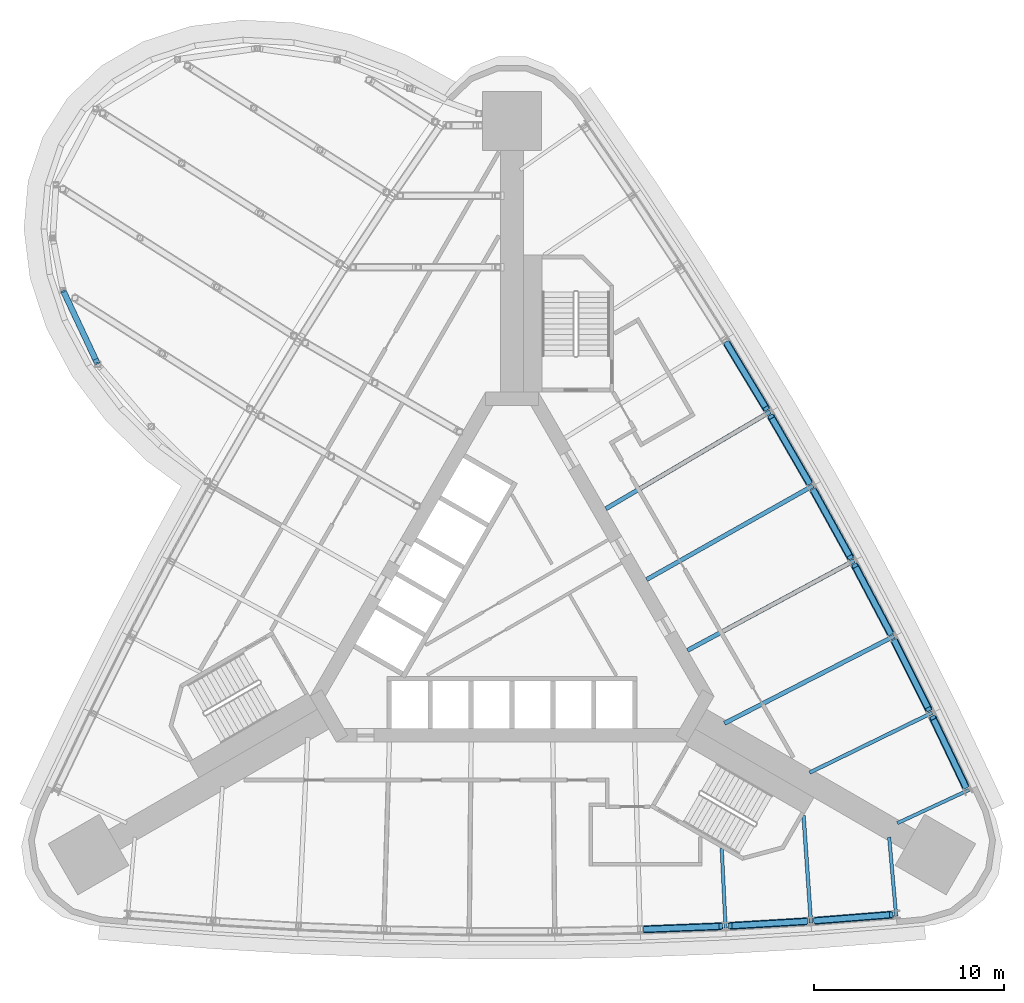
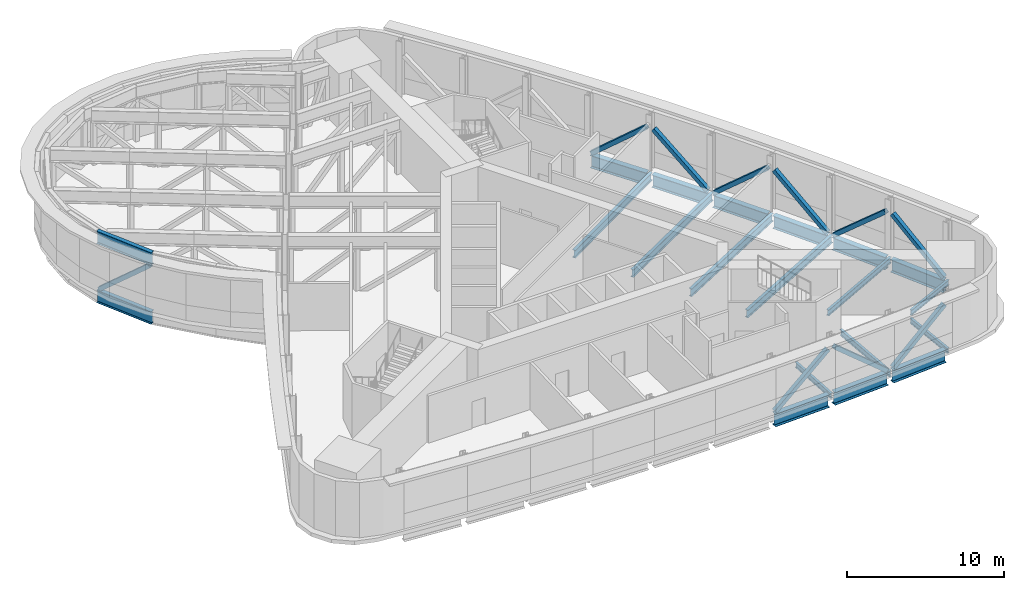
# One storey, part 3 of 11: 18 beams, 12 members.
"""IFC4 building model written with IfcOpenShell, lengths in metres."""

from ifc_helpers import new_model, si_unit, direction, frame, origin, origin_2d, place, context, subcontext, project, spatial, hollow_rectangle, i_section, extrude, material, material_profile, profile_set, type_object, element, save


model = new_model("IFC4")

# Units and contexts
model_context = context("Model", 3, precision=1e-05, world=origin(), true_north=direction((0.0, 1.0)))
body_context = subcontext(model_context, "Body", "Model", "MODEL_VIEW")
ifc_project = project(units=[si_unit("LENGTHUNIT", "METRE"), si_unit("AREAUNIT", "SQUARE_METRE"), si_unit("VOLUMEUNIT", "CUBIC_METRE"), si_unit("PLANEANGLEUNIT", "RADIAN"), si_unit("MASSUNIT", "GRAM", prefix="KILO")], contexts=[model_context])

# Site, building, storey
site_placement = place(None, origin())
site = spatial("IfcSite", under=ifc_project, at=site_placement, CompositionType="ELEMENT")
building_placement = place(site_placement, origin())
building = spatial("IfcBuilding", under=site, at=building_placement, Name="Noor Cloister Tower", CompositionType="ELEMENT")
storey_placement = place(building_placement, frame((0.0, 0.0, 87.0)))
storey = spatial("IfcBuildingStorey", under=building, at=storey_placement, Name="L22", CompositionType="ELEMENT", Elevation=87.0)

# Beams
ifc_material_1 = material(Name="Steel ASTM A992 Gr 50", Category="steel")
ifc_material_profile_1 = material_profile(ifc_material_1, i_section(OverallWidth=0.40087890625, OverallDepth=0.98291015625, WebThickness=0.0166015625, FlangeThickness=0.027099609375, FilletRadius=0.030029296875, at=origin_2d()), Name="W1000x296")
ifc_profile_set_1 = profile_set([ifc_material_profile_1], Name="Steel ASTM A992 Gr 50")
beam_type_1 = type_object("IfcBeamType", Name="Belt chord girder W1000x296", PredefinedType="BEAM", material=ifc_profile_set_1)
beam_1_placement = place(storey_placement, frame((6.9345703125, -16.77001953125, -0.79150390625), z_axis=(0.999226527023, 0.039323627678, 0.0), x_axis=(-0.039323627678, 0.999226527023, 0.0)))
element("IfcBeam", 1, at=beam_1_placement, inside=storey, type_object=beam_type_1, Name="Spandrel beam S 07 L22", PredefinedType="BEAM", context=body_context, shape_type="SweptSolid", body=[
    extrude(i_section(OverallWidth=0.40087890625, OverallDepth=0.98291015625, WebThickness=0.0166015625, FlangeThickness=0.027099609375, FilletRadius=0.030029296875, at=origin_2d()), origin(), (0.0, 0.0, 1.0), 4.085205078125),
])
for number, where, z_axis, x_axis, name in (
    (2, (11.420166015625, -16.589599609375, -0.79150390625), (0.998255153979, 0.059047841234, 0.0), (-0.059047841234, 0.998255153979, 0.0), "Spandrel beam S 08 L22"),
    (3, (15.901123046875, -16.320556640625, -0.79150390625), (0.996902096171, 0.07865246754, 0.0), (-0.07865246754, 0.996902096171, 0.0), "Spandrel beam S 09 L22"),
):
    element("IfcBeam", number, at=place(storey_placement, frame(where, z_axis=z_axis, x_axis=x_axis)), inside=storey, type_object=beam_type_1, Name=name, PredefinedType="BEAM", context=body_context, shape_type="SweptSolid", body=[
        extrude(i_section(OverallWidth=0.40087890625, OverallDepth=0.98291015625, WebThickness=0.0166015625, FlangeThickness=0.027099609375, FilletRadius=0.030029296875, at=origin_2d()), origin(), (0.0, 0.0, 1.0), 4.0849609375),
    ])
for number, where, z_axis, x_axis, name in (
    (4, (23.842529296875, -9.2978515625, -0.79150390625), (-0.430353421503, 0.902660474708, 0.0), (-0.902660474708, -0.430353421503, 0.0), "Spandrel beam NE 01 L22"),
    (5, (21.9072265625, -5.24755859375, -0.79150390625), (-0.448026156732, 0.894020448807, 0.0), (-0.894020448807, -0.448026156732, 0.0), "Spandrel beam NE 02 L22"),
):
    element("IfcBeam", number, at=place(storey_placement, frame(where, z_axis=z_axis, x_axis=x_axis)), inside=storey, type_object=beam_type_1, Name=name, PredefinedType="BEAM", context=body_context, shape_type="SweptSolid", body=[
        extrude(i_section(OverallWidth=0.40087890625, OverallDepth=0.98291015625, WebThickness=0.0166015625, FlangeThickness=0.027099609375, FilletRadius=0.030029296875, at=origin_2d()), origin(), (0.0, 0.0, 1.0), 4.085205078125),
    ])
beam_2_placement = place(storey_placement, frame((19.892333984375, -1.23583984375, -0.79150390625), z_axis=(-0.465527185489, 0.885033581041, 0.0), x_axis=(-0.885033581041, -0.465527185489, 0.0)))
element("IfcBeam", 6, at=beam_2_placement, inside=storey, type_object=beam_type_1, Name="Spandrel beam NE 03 L22", PredefinedType="BEAM", context=body_context, shape_type="SweptSolid", body=[
    extrude(i_section(OverallWidth=0.40087890625, OverallDepth=0.98291015625, WebThickness=0.0166015625, FlangeThickness=0.027099609375, FilletRadius=0.030029296875, at=origin_2d()), origin(), (0.0, 0.0, 1.0), 4.0849609375),
])
for number, where, z_axis, x_axis, name in (
    (7, (17.799072265625, 2.735107421875, -0.79150390625), (-0.482829280505, 0.875714500215, 0.0), (-0.875714500215, -0.482829280505, 0.0), "Spandrel beam NE 04 L22"),
    (8, (15.6279296875, 6.664306640625, -0.79150390625), (-0.499982843957, 0.866035308604, 0.0), (-0.866035308604, -0.499982843957, 0.0), "Spandrel beam NE 05 L22"),
):
    element("IfcBeam", number, at=place(storey_placement, frame(where, z_axis=z_axis, x_axis=x_axis)), inside=storey, type_object=beam_type_1, Name=name, PredefinedType="BEAM", context=body_context, shape_type="SweptSolid", body=[
        extrude(i_section(OverallWidth=0.40087890625, OverallDepth=0.98291015625, WebThickness=0.0166015625, FlangeThickness=0.027099609375, FilletRadius=0.030029296875, at=origin_2d()), origin(), (0.0, 0.0, 1.0), 4.085205078125),
    ])
beam_3_placement = place(storey_placement, frame((13.380126953125, 10.550048828125, -0.79150390625), z_axis=(-0.516963303411, 0.856007560087, 0.0), x_axis=(-0.856007560087, -0.516963303411, 0.0)))
element("IfcBeam", 9, at=beam_3_placement, inside=storey, type_object=beam_type_1, Name="Spandrel beam NE 06 L22", PredefinedType="BEAM", context=body_context, shape_type="SweptSolid", body=[
    extrude(i_section(OverallWidth=0.40087890625, OverallDepth=0.98291015625, WebThickness=0.0166015625, FlangeThickness=0.027099609375, FilletRadius=0.030029296875, at=origin_2d()), origin(), (0.0, 0.0, 1.0), 4.0849609375),
])

# Members
ifc_material_2 = material(Name="Steel ASTM A500 Gr C", Category="steel")
ifc_material_profile_2 = material_profile(ifc_material_2, hollow_rectangle(XDim=0.304931640625, YDim=0.304931640625, WallThickness=0.0126953125, at=origin_2d()), Name="HSS304.8x304.8x12.7")
ifc_profile_set_2 = profile_set([ifc_material_profile_2], Name="Steel ASTM A500 Gr C")
member_type_1 = type_object("IfcMemberType", Name="Belt truss diagonal HSS304.8x304.8x12.7", PredefinedType="BRACE", material=ifc_profile_set_2)
member_1_placement = place(storey_placement, frame((6.97998046875, -16.768310546875, -0.18359375), z_axis=(0.762372899132, 0.030032306523, 0.64644073451), x_axis=(-0.039362667817, 0.999224989871, 0.0)))
element("IfcMember", 10, at=member_1_placement, inside=storey, type_object=member_type_1, Name="Belt truss diagonal S 07 L22", PredefinedType="BRACE", context=body_context, shape_type="SweptSolid", body=[
    extrude(hollow_rectangle(XDim=0.304931640625, YDim=0.304931640625, WallThickness=0.0126953125, at=origin_2d()), origin(), (0.0, 0.0, 1.0), 5.2353515625),
])
for number, where, z_axis, x_axis, name in (
    (11, (15.45263671875, -16.35107421875, -0.18359375), (-0.761610864871, -0.045050278334, 0.646466830497), (0.059048096513, -0.998255138879, 0.0), "Belt truss diagonal S 08 L22"),
    (12, (15.946533203125, -16.317138671875, -0.18359375), (0.760580629623, 0.060020066854, 0.646463222014), (-0.07866891456, 0.996900798416, 0.0), "Belt truss diagonal S 09 L22"),
    (13, (23.822998046875, -9.2568359375, -0.18359375), (-0.328319880127, 0.688678930375, 0.646473036693), (-0.902668346307, -0.430336910544, 0.0), "Belt truss diagonal NE 01 L22"),
    (14, (20.097412109375, -1.635986328125, -0.18359375), (0.341794726021, -0.682097102303, 0.646467252299), (0.894035639422, 0.44799584311, 0.0), "Belt truss diagonal NE 02 L22"),
    (15, (19.871337890625, -1.195556640625, -0.18359375), (-0.355175074127, 0.675233705133, 0.646459674049), (-0.885032225576, -0.465529762413, 0.0), "Belt truss diagonal NE 03 L22"),
    (16, (15.8486328125, 6.272705078125, -0.18359375), (0.368367987221, -0.668136239133, 0.646451074675), (0.875721177737, 0.482817169187, 0.0), "Belt truss diagonal NE 04 L22"),
    (17, (15.605224609375, 6.70361328125, -0.18359375), (-0.381477543181, 0.660730297284, 0.646459865962), (-0.866022720283, -0.500004647933, 0.0), "Belt truss diagonal NE 05 L22"),
    (18, (11.291748046875, 14.008056640625, -0.18359375), (0.394388578929, -0.653117186697, 0.646448442841), (0.856033315914, 0.51692065353, 0.0), "Belt truss diagonal NE 06 L22"),
):
    element("IfcMember", number, at=place(storey_placement, frame(where, z_axis=z_axis, x_axis=x_axis)), inside=storey, type_object=member_type_1, Name=name, PredefinedType="BRACE", context=body_context, shape_type="SweptSolid", body=[
        extrude(hollow_rectangle(XDim=0.304931640625, YDim=0.304931640625, WallThickness=0.0126953125, at=origin_2d()), origin(), (0.0, 0.0, 1.0), 5.235107421875),
    ])
ifc_material_3 = material(Name="Steel ASTM A992 Gr 50", Category="steel")
ifc_material_profile_3 = material_profile(ifc_material_3, i_section(OverallWidth=0.300048828125, OverallDepth=0.97998046875, WebThickness=0.0166015625, FlangeThickness=0.026123046875, FilletRadius=0.02978515625, at=origin_2d()), Name="W1000x249")
ifc_profile_set_3 = profile_set([ifc_material_profile_3], Name="Steel ASTM A992 Gr 50")
member_type_2 = type_object("IfcMemberType", Name="Pod ring chord W1000x249", PredefinedType="CHORD", material=ifc_profile_set_3)
for number, where, z_axis, x_axis, name in (
    (19, (-23.57666015625, 16.77880859375, -0.7900390625), (0.425445797726, -0.904983907701, 0.0), (0.904983907701, 0.425445797726, 0.0), "Pod truss 2 bottom chord ring 9"),
    (20, (-23.57666015625, 16.77880859375, 3.81005859375), (0.425445797726, -0.904983907701, 0.0), (0.904983907701, 0.425445797726, 0.0), "Pod truss 2 top chord ring 9"),
):
    element("IfcMember", number, at=place(storey_placement, frame(where, z_axis=z_axis, x_axis=x_axis)), inside=storey, type_object=member_type_2, Name=name, PredefinedType="CHORD", context=body_context, shape_type="SweptSolid", body=[
        extrude(i_section(OverallWidth=0.300048828125, OverallDepth=0.97998046875, WebThickness=0.0166015625, FlangeThickness=0.026123046875, FilletRadius=0.02978515625, at=origin_2d()), origin(), (0.0, 0.0, 1.0), 4.251708984375),
    ])
ifc_material_4 = material(Name="Steel ASTM A500 Gr C", Category="steel")
ifc_material_profile_4 = material_profile(ifc_material_4, hollow_rectangle(XDim=0.304931640625, YDim=0.304931640625, WallThickness=0.0126953125, at=origin_2d()), Name="HSS304.8x304.8x12.7")
ifc_profile_set_4 = profile_set([ifc_material_profile_4], Name="Steel ASTM A500 Gr C")
member_type_3 = type_object("IfcMemberType", Name="Pod truss diagonal HSS304.8x304.8x12.7", PredefinedType="BRACE", material=ifc_profile_set_4)
member_2_placement = place(storey_placement, frame((-23.500732421875, 16.616943359375, -0.18505859375), z_axis=(0.320945737559, -0.682689261466, 0.656451982876), x_axis=(0.904981961807, 0.425449936895, 0.0)))
element("IfcMember", 21, at=member_2_placement, inside=storey, type_object=member_type_3, Name="Pod truss 2 diagonal ring 9", PredefinedType="BRACE", context=body_context, shape_type="SweptSolid", body=[
    extrude(hollow_rectangle(XDim=0.304931640625, YDim=0.304931640625, WallThickness=0.0126953125, at=origin_2d()), origin(), (0.0, 0.0, 1.0), 5.164306640625),
])

# Beams
ifc_material_5 = material(Name="Steel ASTM A992 Gr 50", Category="steel")
ifc_material_profile_5 = material_profile(ifc_material_5, i_section(OverallWidth=0.177978515625, OverallDepth=0.406005859375, WebThickness=0.0078125, FlangeThickness=0.0126953125, FilletRadius=0.01025390625, at=origin_2d()), Name="W410x60")
ifc_profile_set_5 = profile_set([ifc_material_profile_5], Name="Steel ASTM A992 Gr 50")
beam_type_2 = type_object("IfcBeamType", Name="Radial beam W410x60", PredefinedType="BEAM", material=ifc_profile_set_5)
beam_4_placement = place(storey_placement, frame((11.22314453125, -16.6982421875, -0.5029296875), z_axis=(-0.049162973708, 0.998790769889, 0.0), x_axis=(-0.998790769889, -0.049162973708, 0.0)))
element("IfcBeam", 22, at=beam_4_placement, inside=storey, type_object=beam_type_2, Name="Radial beam S 08 L22", PredefinedType="BEAM", context=body_context, shape_type="SweptSolid", body=[
    extrude(i_section(OverallWidth=0.177978515625, OverallDepth=0.406005859375, WebThickness=0.0078125, FlangeThickness=0.0126953125, FilletRadius=0.01025390625, at=origin_2d()), origin(), (0.0, 0.0, 1.0), 4.181396484375),
])
beam_5_placement = place(storey_placement, frame((20.183349609375, -16.080078125, -0.5029296875), z_axis=(-0.088442871881, 0.996081250909, 0.0), x_axis=(-0.996081250909, -0.088442871881, 0.0)))
element("IfcBeam", 23, at=beam_5_placement, inside=storey, type_object=beam_type_2, Name="Radial beam S 10 L22", PredefinedType="BEAM", context=body_context, shape_type="SweptSolid", body=[
    extrude(i_section(OverallWidth=0.177978515625, OverallDepth=0.406005859375, WebThickness=0.0078125, FlangeThickness=0.0126953125, FilletRadius=0.01025390625, at=origin_2d()), origin(), (0.0, 0.0, 1.0), 4.16552734375),
])
beam_6_placement = place(storey_placement, frame((24.017333984375, -9.439453125, -0.5029296875), z_axis=(-0.906861795377, -0.421428148188, 0.0), x_axis=(0.421428148188, -0.906861795377, 0.0)))
element("IfcBeam", 24, at=beam_6_placement, inside=storey, type_object=beam_type_2, Name="Radial beam NE 01 L22", PredefinedType="BEAM", context=body_context, shape_type="SweptSolid", body=[
    extrude(i_section(OverallWidth=0.177978515625, OverallDepth=0.406005859375, WebThickness=0.0078125, FlangeThickness=0.0126953125, FilletRadius=0.01025390625, at=origin_2d()), origin(), (0.0, 0.0, 1.0), 4.165283203125),
])
ifc_material_6 = material(Name="Steel ASTM A992 Gr 50", Category="steel")
ifc_material_profile_6 = material_profile(ifc_material_6, i_section(OverallWidth=0.19091796875, OverallDepth=0.45703125, WebThickness=0.009033203125, FlangeThickness=0.014404296875, FilletRadius=0.01025390625, at=origin_2d()), Name="W460x74")
ifc_profile_set_6 = profile_set([ifc_material_profile_6], Name="Steel ASTM A992 Gr 50")
beam_type_3 = type_object("IfcBeamType", Name="Radial beam W460x74", PredefinedType="BEAM", material=ifc_profile_set_6)
beam_7_placement = place(storey_placement, frame((15.706298828125, -16.433349609375, -0.528564453125), z_axis=(-0.068805050709, 0.997630124343, 0.0), x_axis=(-0.997630124343, -0.068805050709, 0.0)))
element("IfcBeam", 25, at=beam_7_placement, inside=storey, type_object=beam_type_3, Name="Radial beam S 09 L22", PredefinedType="BEAM", context=body_context, shape_type="SweptSolid", body=[
    extrude(i_section(OverallWidth=0.19091796875, OverallDepth=0.45703125, WebThickness=0.009033203125, FlangeThickness=0.014404296875, FilletRadius=0.01025390625, at=origin_2d()), origin(), (0.0, 0.0, 1.0), 5.6630859375),
])
beam_8_placement = place(storey_placement, frame((22.084716796875, -5.385498046875, -0.528564453125), z_axis=(-0.898392116565, -0.43919426783, 0.0), x_axis=(0.43919426783, -0.898392116565, 0.0)))
element("IfcBeam", 26, at=beam_8_placement, inside=storey, type_object=beam_type_3, Name="Radial beam NE 02 L22", PredefinedType="BEAM", context=body_context, shape_type="SweptSolid", body=[
    extrude(i_section(OverallWidth=0.19091796875, OverallDepth=0.45703125, WebThickness=0.009033203125, FlangeThickness=0.014404296875, FilletRadius=0.01025390625, at=origin_2d()), origin(), (0.0, 0.0, 1.0), 7.176513671875),
])
ifc_material_7 = material(Name="Steel ASTM A992 Gr 50", Category="steel")
ifc_material_profile_7 = material_profile(ifc_material_7, i_section(OverallWidth=0.22802734375, OverallDepth=0.60205078125, WebThickness=0.010498046875, FlangeThickness=0.014892578125, FilletRadius=0.0126953125, at=origin_2d()), Name="W610x101")
ifc_profile_set_7 = profile_set([ifc_material_profile_7], Name="Steel ASTM A992 Gr 50")
beam_type_4 = type_object("IfcBeamType", Name="Radial beam W610x101", PredefinedType="BEAM", material=ifc_profile_set_7)
beam_9_placement = place(storey_placement, frame((20.07275390625, -1.370361328125, -0.60107421875), z_axis=(-0.889568088015, -0.456802601552, 0.0), x_axis=(0.456802601552, -0.889568088015, 0.0)))
element("IfcBeam", 27, at=beam_9_placement, inside=storey, type_object=beam_type_4, Name="Radial beam NE 03 L22", PredefinedType="BEAM", context=body_context, shape_type="SweptSolid", body=[
    extrude(i_section(OverallWidth=0.22802734375, OverallDepth=0.60205078125, WebThickness=0.010498046875, FlangeThickness=0.014892578125, FilletRadius=0.0126953125, at=origin_2d()), origin(), (0.0, 0.0, 1.0), 10.024658203125),
])
beam_10_placement = place(storey_placement, frame((17.98193359375, 2.604248046875, -0.60107421875), z_axis=(-0.880406492765, -0.474219788175, 0.0), x_axis=(0.474219788175, -0.880406492765, 0.0)))
element("IfcBeam", 28, at=beam_10_placement, inside=storey, type_object=beam_type_4, Name="Radial beam NE 04 L22", PredefinedType="BEAM", context=body_context, shape_type="SweptSolid", body=[
    extrude(i_section(OverallWidth=0.22802734375, OverallDepth=0.60205078125, WebThickness=0.010498046875, FlangeThickness=0.014892578125, FilletRadius=0.0126953125, at=origin_2d()), origin(), (0.0, 0.0, 1.0), 9.951171875),
])
beam_11_placement = place(storey_placement, frame((15.8134765625, 6.537109375, -0.60107421875), z_axis=(-0.87089837579, -0.491463141085, 0.0), x_axis=(0.491463141085, -0.87089837579, 0.0)))
element("IfcBeam", 29, at=beam_11_placement, inside=storey, type_object=beam_type_4, Name="Radial beam NE 05 L22", PredefinedType="BEAM", context=body_context, shape_type="SweptSolid", body=[
    extrude(i_section(OverallWidth=0.22802734375, OverallDepth=0.60205078125, WebThickness=0.010498046875, FlangeThickness=0.014892578125, FilletRadius=0.0126953125, at=origin_2d()), origin(), (0.0, 0.0, 1.0), 10.03564453125),
])
beam_12_placement = place(storey_placement, frame((13.568115234375, 10.42626953125, -0.60107421875), z_axis=(-0.861073719988, -0.508480136038, 0.0), x_axis=(0.508480136038, -0.861073719988, 0.0)))
element("IfcBeam", 30, at=beam_12_placement, inside=storey, type_object=beam_type_4, Name="Radial beam NE 06 L22", PredefinedType="BEAM", context=body_context, shape_type="SweptSolid", body=[
    extrude(i_section(OverallWidth=0.22802734375, OverallDepth=0.60205078125, WebThickness=0.010498046875, FlangeThickness=0.014892578125, FilletRadius=0.0126953125, at=origin_2d()), origin(), (0.0, 0.0, 1.0), 10.035888671875),
])

save(model, "model.ifc")
